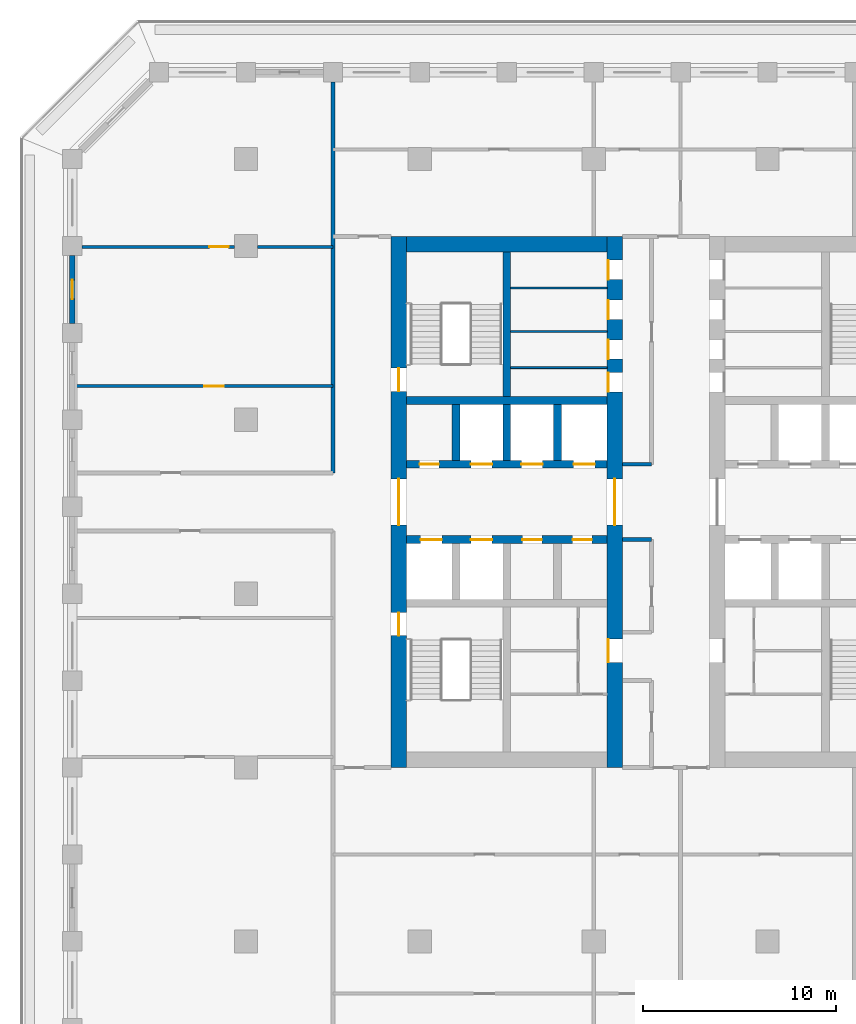
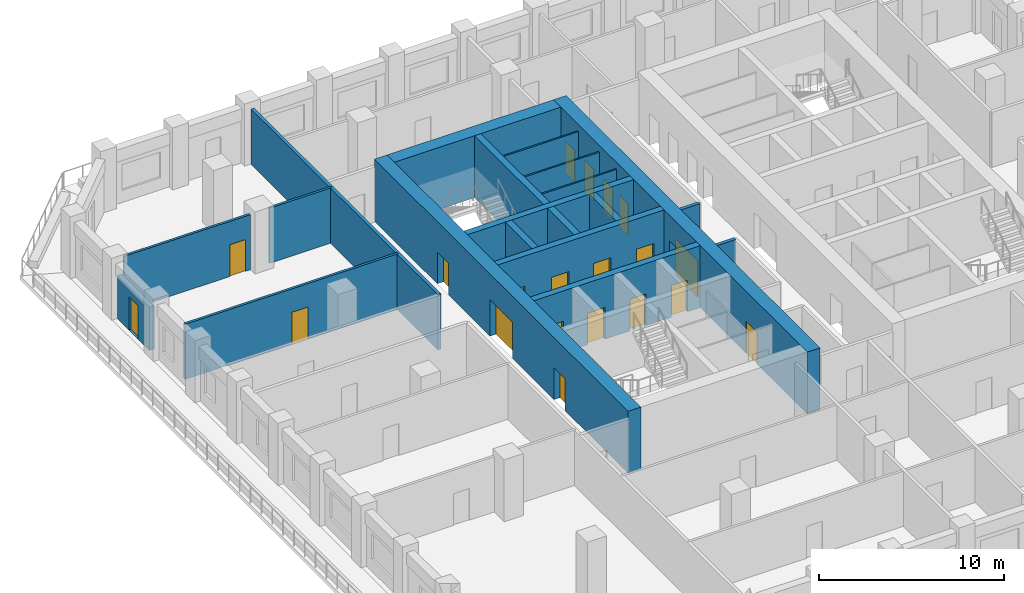
# One storey, part 5 of 16: 20 doors, 20 walls, 20 openings.
"""IFC4 building model written with IfcOpenShell, lengths in metres."""

from ifc_helpers import new_model, si_unit, direction, frame, frame_2d, origin, place, context, subcontext, project, spatial, rectangle, extrude, material, layer, layer_set, type_object, element, fill, save


model = new_model("IFC4")

# Units and contexts
model_context = context("Model", 3, precision=1e-05, world=origin(), true_north=direction((0.0, 1.0)))
body_context = subcontext(model_context, "Body", "Model", "MODEL_VIEW")
ifc_project = project(units=[si_unit("LENGTHUNIT", "METRE"), si_unit("AREAUNIT", "SQUARE_METRE"), si_unit("VOLUMEUNIT", "CUBIC_METRE"), si_unit("PLANEANGLEUNIT", "RADIAN"), si_unit("MASSUNIT", "GRAM", prefix="KILO")], contexts=[model_context])

# Site, building, storey
site_placement = place(None, origin())
site = spatial("IfcSite", under=ifc_project, at=site_placement, CompositionType="ELEMENT")
building_placement = place(site_placement, origin())
building = spatial("IfcBuilding", under=site, at=building_placement, Name="Corbel Stack Research Tower", CompositionType="ELEMENT")
storey_placement = place(building_placement, frame((0.0, 0.0, 160.89990234375)))
storey = spatial("IfcBuildingStorey", under=building, at=storey_placement, Name="L36", CompositionType="ELEMENT", Elevation=160.89990234375)

# Wall, openings, doors
ifc_material_1 = material(Name="Concrete C60/75", Category="concrete")
ifc_layer_1 = layer(ifc_material_1, 0.39990234375)
ifc_layer_set_1 = layer_set([ifc_layer_1], Name="Concrete C60/75")
wall_type_1 = type_object("IfcWallType", Name="CW-400-60", PredefinedType="SHEAR", material=ifc_layer_set_1)
wall_1_placement = place(storey_placement, frame((-9.699951171875, 2.800048828125, 0.0), z_axis=(0.0, 0.0, 1.0), x_axis=(1.0, 0.0, 0.0)))
wall_1 = element("IfcWall", 1, at=wall_1_placement, inside=storey, type_object=wall_type_1, Name="West core wall, lobby south L36", PredefinedType="SHEAR", context=body_context, shape_type="SweptSolid", body=[
    extrude(rectangle(XDim=10.39990234375, YDim=0.39990234375, at=frame_2d((5.199951171875, 0.0))), origin(), (0.0, 0.0, 1.0), 4.10009765625),
])
opening_1_placement = place(wall_1_placement, frame((0.737548828125, 0.0, 0.0)))
opening_1 = element("IfcOpeningElement", 2, at=opening_1_placement, cuts=wall_1, Name="Opening LD-FS1", PredefinedType="OPENING", context=body_context, shape_type="SweptSolid", body=[
    extrude(rectangle(XDim=1.10009765625, YDim=2.10009765625, at=frame_2d((0.550048828125, 1.050048828125))), frame((0.0, 0.2099609375, 0.0), z_axis=(0.0, -1.0, 0.0), x_axis=(1.0, 0.0, 0.0)), (0.0, 0.0, 1.0), 0.419921875),
])
opening_2_placement = place(wall_1_placement, frame((3.33740234375, 0.0, 0.0)))
opening_2 = element("IfcOpeningElement", 3, at=opening_2_placement, cuts=wall_1, Name="Opening LD-GL1", PredefinedType="OPENING", context=body_context, shape_type="SweptSolid", body=[
    extrude(rectangle(XDim=1.10009765625, YDim=2.10009765625, at=frame_2d((0.550048828125, 1.050048828125))), frame((0.0, 0.2099609375, 0.0), z_axis=(0.0, -1.0, 0.0), x_axis=(1.0, 0.0, 0.0)), (0.0, 0.0, 1.0), 0.419921875),
])
opening_3_placement = place(wall_1_placement, frame((6.012451171875, 0.0, 0.0)))
opening_3 = element("IfcOpeningElement", 4, at=opening_3_placement, cuts=wall_1, Name="Opening CR-W66-S3", PredefinedType="OPENING", context=body_context, shape_type="SweptSolid", body=[
    extrude(rectangle(XDim=1.0, YDim=2.10009765625, at=frame_2d((0.5, 1.050048828125))), frame((0.0, 0.2099609375, 0.0), z_axis=(0.0, -1.0, 0.0), x_axis=(1.0, 0.0, 0.0)), (0.0, 0.0, 1.0), 0.419921875),
])
opening_4_placement = place(wall_1_placement, frame((8.612548828125, 0.0, 0.0)))
opening_4 = element("IfcOpeningElement", 5, at=opening_4_placement, cuts=wall_1, Name="Opening CR-W66-S4", PredefinedType="OPENING", context=body_context, shape_type="SweptSolid", body=[
    extrude(rectangle(XDim=1.0, YDim=2.10009765625, at=frame_2d((0.5, 1.050048828125))), frame((0.0, 0.2099609375, 0.0), z_axis=(0.0, -1.0, 0.0), x_axis=(1.0, 0.0, 0.0)), (0.0, 0.0, 1.0), 0.419921875),
])
ifc_material_2 = material(Name="Stainless steel landing door", Category="steel")
door_type_1 = type_object("IfcDoorType", Name="Lift landing door 1100 x 2100", OperationType="DOUBLE_DOOR_SLIDING", PredefinedType="DOOR", material=ifc_material_2)
door_1_placement = place(opening_1_placement, origin())
door_1 = element("IfcDoor", 6, at=door_1_placement, inside=storey, type_object=door_type_1, Name="Landing door FS1", OperationType="DOUBLE_DOOR_SLIDING", OverallHeight=2.10009765625, OverallWidth=1.10009765625, PredefinedType="DOOR", context=body_context, shape_type="SweptSolid", body=[
    extrude(rectangle(XDim=1.10009765625, YDim=2.10009765625, at=frame_2d((0.550048828125, 1.050048828125))), frame((0.0, 0.02490234375, 0.0), z_axis=(0.0, -1.0, 0.0), x_axis=(1.0, 0.0, 0.0)), (0.0, 0.0, 1.0), 0.050048828125),
])
fill(opening_1, door_1)
door_2_placement = place(opening_2_placement, origin())
door_2 = element("IfcDoor", 7, at=door_2_placement, inside=storey, type_object=door_type_1, Name="Landing door GL1", OperationType="DOUBLE_DOOR_SLIDING", OverallHeight=2.10009765625, OverallWidth=1.10009765625, PredefinedType="DOOR", context=body_context, shape_type="SweptSolid", body=[
    extrude(rectangle(XDim=1.10009765625, YDim=2.10009765625, at=frame_2d((0.550048828125, 1.050048828125))), frame((0.0, 0.02490234375, 0.0), z_axis=(0.0, -1.0, 0.0), x_axis=(1.0, 0.0, 0.0)), (0.0, 0.0, 1.0), 0.050048828125),
])
fill(opening_2, door_2)
ifc_material_3 = material(Name="Painted steel door", Category="steel")
door_type_2 = type_object("IfcDoorType", Name="Service door 1000 x 2100 FD60 left hand", OperationType="SINGLE_SWING_LEFT", PredefinedType="DOOR", material=ifc_material_3)
door_3_placement = place(opening_3_placement, origin())
door_3 = element("IfcDoor", 8, at=door_3_placement, inside=storey, type_object=door_type_2, Name="Copy and supply store door W core", OperationType="SINGLE_SWING_LEFT", OverallHeight=2.10009765625, OverallWidth=1.0, PredefinedType="DOOR", context=body_context, shape_type="SweptSolid", body=[
    extrude(rectangle(XDim=1.0, YDim=2.10009765625, at=frame_2d((0.5, 1.050048828125))), frame((0.0, 0.02490234375, 0.0), z_axis=(0.0, -1.0, 0.0), x_axis=(1.0, 0.0, 0.0)), (0.0, 0.0, 1.0), 0.050048828125),
])
fill(opening_3, door_3)
ifc_material_4 = material(Name="Painted steel door", Category="steel")
door_type_3 = type_object("IfcDoorType", Name="Service door 1000 x 2100 FD60 right hand", OperationType="SINGLE_SWING_RIGHT", PredefinedType="DOOR", material=ifc_material_4)
door_4_placement = place(opening_4_placement, origin())
door_4 = element("IfcDoor", 9, at=door_4_placement, inside=storey, type_object=door_type_3, Name="Records store door W core", OperationType="SINGLE_SWING_RIGHT", OverallHeight=2.10009765625, OverallWidth=1.0, PredefinedType="DOOR", context=body_context, shape_type="SweptSolid", body=[
    extrude(rectangle(XDim=1.0, YDim=2.10009765625, at=frame_2d((0.5, 1.050048828125))), frame((0.0, 0.02490234375, 0.0), z_axis=(0.0, -1.0, 0.0), x_axis=(1.0, 0.0, 0.0)), (0.0, 0.0, 1.0), 0.050048828125),
])
fill(opening_4, door_4)

wall_2_placement = place(storey_placement, frame((-9.699951171875, 6.699951171875, 0.0), z_axis=(0.0, 0.0, 1.0), x_axis=(1.0, 0.0, 0.0)))
wall_2 = element("IfcWall", 10, at=wall_2_placement, inside=storey, type_object=wall_type_1, Name="West core wall, lobby north L36", PredefinedType="SHEAR", context=body_context, shape_type="SweptSolid", body=[
    extrude(rectangle(XDim=10.39990234375, YDim=0.39990234375, at=frame_2d((5.199951171875, 0.0))), origin(), (0.0, 0.0, 1.0), 4.10009765625),
])
opening_5_placement = place(wall_2_placement, frame((3.33740234375, 0.0, 0.0)))
opening_5 = element("IfcOpeningElement", 11, at=opening_5_placement, cuts=wall_2, Name="Opening LD-HR1", PredefinedType="OPENING", context=body_context, shape_type="SweptSolid", body=[
    extrude(rectangle(XDim=1.10009765625, YDim=2.10009765625, at=frame_2d((0.550048828125, 1.050048828125))), frame((0.0, 0.2099609375, 0.0), z_axis=(0.0, -1.0, 0.0), x_axis=(1.0, 0.0, 0.0)), (0.0, 0.0, 1.0), 0.419921875),
])
opening_6_placement = place(wall_2_placement, frame((5.96240234375, 0.0, 0.0)))
opening_6 = element("IfcOpeningElement", 12, at=opening_6_placement, cuts=wall_2, Name="Opening LD-HR2", PredefinedType="OPENING", context=body_context, shape_type="SweptSolid", body=[
    extrude(rectangle(XDim=1.10009765625, YDim=2.10009765625, at=frame_2d((0.550048828125, 1.050048828125))), frame((0.0, 0.2099609375, 0.0), z_axis=(0.0, -1.0, 0.0), x_axis=(1.0, 0.0, 0.0)), (0.0, 0.0, 1.0), 0.419921875),
])
opening_7_placement = place(wall_2_placement, frame((8.66259765625, 0.0, 0.0)))
opening_7 = element("IfcOpeningElement", 13, at=opening_7_placement, cuts=wall_2, Name="Opening LD-HR3", PredefinedType="OPENING", context=body_context, shape_type="SweptSolid", body=[
    extrude(rectangle(XDim=1.10009765625, YDim=2.10009765625, at=frame_2d((0.550048828125, 1.050048828125))), frame((0.0, 0.2099609375, 0.0), z_axis=(0.0, -1.0, 0.0), x_axis=(1.0, 0.0, 0.0)), (0.0, 0.0, 1.0), 0.419921875),
])
opening_8_placement = place(wall_2_placement, frame((0.6875, 0.0, 0.0)))
opening_8 = element("IfcOpeningElement", 14, at=opening_8_placement, cuts=wall_2, Name="Opening CR-W66-N1", PredefinedType="OPENING", context=body_context, shape_type="SweptSolid", body=[
    extrude(rectangle(XDim=1.0, YDim=2.10009765625, at=frame_2d((0.5, 1.050048828125))), frame((0.0, 0.2099609375, 0.0), z_axis=(0.0, -1.0, 0.0), x_axis=(1.0, 0.0, 0.0)), (0.0, 0.0, 1.0), 0.419921875),
])
door_5_placement = place(opening_5_placement, origin())
door_5 = element("IfcDoor", 15, at=door_5_placement, inside=storey, type_object=door_type_1, Name="Landing door HR1", OperationType="DOUBLE_DOOR_SLIDING", OverallHeight=2.10009765625, OverallWidth=1.10009765625, PredefinedType="DOOR", context=body_context, shape_type="SweptSolid", body=[
    extrude(rectangle(XDim=1.10009765625, YDim=2.10009765625, at=frame_2d((0.550048828125, 1.050048828125))), frame((0.0, 0.02490234375, 0.0), z_axis=(0.0, -1.0, 0.0), x_axis=(1.0, 0.0, 0.0)), (0.0, 0.0, 1.0), 0.050048828125),
])
fill(opening_5, door_5)
door_6_placement = place(opening_6_placement, origin())
door_6 = element("IfcDoor", 16, at=door_6_placement, inside=storey, type_object=door_type_1, Name="Landing door HR2", OperationType="DOUBLE_DOOR_SLIDING", OverallHeight=2.10009765625, OverallWidth=1.10009765625, PredefinedType="DOOR", context=body_context, shape_type="SweptSolid", body=[
    extrude(rectangle(XDim=1.10009765625, YDim=2.10009765625, at=frame_2d((0.550048828125, 1.050048828125))), frame((0.0, 0.02490234375, 0.0), z_axis=(0.0, -1.0, 0.0), x_axis=(1.0, 0.0, 0.0)), (0.0, 0.0, 1.0), 0.050048828125),
])
fill(opening_6, door_6)
door_7_placement = place(opening_7_placement, origin())
door_7 = element("IfcDoor", 17, at=door_7_placement, inside=storey, type_object=door_type_1, Name="Landing door HR3", OperationType="DOUBLE_DOOR_SLIDING", OverallHeight=2.10009765625, OverallWidth=1.10009765625, PredefinedType="DOOR", context=body_context, shape_type="SweptSolid", body=[
    extrude(rectangle(XDim=1.10009765625, YDim=2.10009765625, at=frame_2d((0.550048828125, 1.050048828125))), frame((0.0, 0.02490234375, 0.0), z_axis=(0.0, -1.0, 0.0), x_axis=(1.0, 0.0, 0.0)), (0.0, 0.0, 1.0), 0.050048828125),
])
fill(opening_7, door_7)
door_8_placement = place(opening_8_placement, origin())
door_8 = element("IfcDoor", 18, at=door_8_placement, inside=storey, type_object=door_type_2, Name="Electrical room door W core", OperationType="SINGLE_SWING_LEFT", OverallHeight=2.10009765625, OverallWidth=1.0, PredefinedType="DOOR", context=body_context, shape_type="SweptSolid", body=[
    extrude(rectangle(XDim=1.0, YDim=2.10009765625, at=frame_2d((0.5, 1.050048828125))), frame((0.0, 0.02490234375, 0.0), z_axis=(0.0, -1.0, 0.0), x_axis=(1.0, 0.0, 0.0)), (0.0, 0.0, 1.0), 0.050048828125),
])
fill(opening_8, door_8)

# Walls
wall_3_placement = place(storey_placement, frame((-9.699951171875, 10.0, 0.0), z_axis=(0.0, 0.0, 1.0), x_axis=(1.0, 0.0, 0.0)))
element("IfcWall", 19, at=wall_3_placement, inside=storey, type_object=wall_type_1, Name="West core wall, north row back L36", PredefinedType="SHEAR", context=body_context, shape_type="SweptSolid", body=[
    extrude(rectangle(XDim=10.39990234375, YDim=0.39990234375, at=frame_2d((5.199951171875, 0.0))), origin(), (0.0, 0.0, 1.0), 4.10009765625),
])
for number, where, z_axis, x_axis, name in (
    (20, (-7.125, 6.89990234375, 0.0), (0.0, 0.0, 1.0), (0.0, 1.0, 0.0), "West core wall, north shaft 1 L36"),
    (21, (-4.5, 6.89990234375, 0.0), (0.0, 0.0, 1.0), (0.0, 1.0, 0.0), "West core wall, north shaft 2 L36"),
    (22, (-1.875, 6.89990234375, 0.0), (0.0, 0.0, 1.0), (0.0, 1.0, 0.0), "West core wall, north shaft 3 L36"),
):
    element("IfcWall", number, at=place(storey_placement, frame(where, z_axis=z_axis, x_axis=x_axis)), inside=storey, type_object=wall_type_1, Name=name, PredefinedType="SHEAR", context=body_context, shape_type="SweptSolid", body=[
        extrude(rectangle(XDim=2.900146484375, YDim=0.39990234375, at=frame_2d((1.4501953125, 0.0))), origin(), (0.0, 0.0, 1.0), 4.10009765625),
    ])
wall_4_placement = place(storey_placement, frame((-4.5, 10.199951171875, 0.0), z_axis=(0.0, 0.0, 1.0), x_axis=(0.0, 1.0, 0.0)))
element("IfcWall", 23, at=wall_4_placement, inside=storey, type_object=wall_type_1, Name="West core wall, north stair and riser L36", PredefinedType="SHEAR", context=body_context, shape_type="SweptSolid", body=[
    extrude(rectangle(XDim=7.5, YDim=0.39990234375, at=frame_2d((3.75, 0.0))), origin(), (0.0, 0.0, 1.0), 4.10009765625),
])

# Wall, openings, doors
ifc_material_5 = material(Name="Concrete C60/75", Category="concrete")
ifc_layer_2 = layer(ifc_material_5, 0.800048828125)
ifc_layer_set_2 = layer_set([ifc_layer_2], Name="Concrete C60/75")
wall_type_2 = type_object("IfcWallType", Name="CW-800-60", PredefinedType="SHEAR", material=ifc_layer_set_2)
wall_5_placement = place(storey_placement, frame((-10.10009765625, -9.0, 0.0), z_axis=(0.0, 0.0, 1.0), x_axis=(0.0, 1.0, 0.0)))
wall_5 = element("IfcWall", 24, at=wall_5_placement, inside=storey, type_object=wall_type_2, Name="West core wall, west face L36", PredefinedType="SHEAR", context=body_context, shape_type="SweptSolid", body=[
    extrude(rectangle(XDim=27.5, YDim=0.800048828125, at=frame_2d((13.75, 0.0))), origin(), (0.0, 0.0, 1.0), 4.10009765625),
])
opening_9_placement = place(wall_5_placement, frame((12.550048828125, 0.0, 0.0)))
opening_9 = element("IfcOpeningElement", 25, at=opening_9_placement, cuts=wall_5, Name="Opening CD-W-W", PredefinedType="OPENING", context=body_context, shape_type="SweptSolid", body=[
    extrude(rectangle(XDim=2.39990234375, YDim=2.39990234375, at=frame_2d((1.199951171875, 1.199951171875))), frame((0.0, 0.409912109375, 0.0), z_axis=(0.0, -1.0, 0.0), x_axis=(1.0, 0.0, 0.0)), (0.0, 0.0, 1.0), 0.820068359375),
])
opening_10_placement = place(wall_5_placement, frame((6.824951171875, 0.0, 0.0)))
opening_10 = element("IfcOpeningElement", 26, at=opening_10_placement, cuts=wall_5, Name="Opening SD-ST-W1", PredefinedType="OPENING", context=body_context, shape_type="SweptSolid", body=[
    extrude(rectangle(XDim=1.199951171875, YDim=2.10009765625, at=frame_2d((0.60009765625, 1.050048828125))), frame((0.0, 0.409912109375, 0.0), z_axis=(0.0, -1.0, 0.0), x_axis=(1.0, 0.0, 0.0)), (0.0, 0.0, 1.0), 0.820068359375),
])
opening_11_placement = place(wall_5_placement, frame((19.47509765625, 0.0, 0.0)))
opening_11 = element("IfcOpeningElement", 27, at=opening_11_placement, cuts=wall_5, Name="Opening SD-ST-W2", PredefinedType="OPENING", context=body_context, shape_type="SweptSolid", body=[
    extrude(rectangle(XDim=1.199951171875, YDim=2.10009765625, at=frame_2d((0.60009765625, 1.050048828125))), frame((0.0, 0.409912109375, 0.0), z_axis=(0.0, -1.0, 0.0), x_axis=(1.0, 0.0, 0.0)), (0.0, 0.0, 1.0), 0.820068359375),
])
ifc_material_6 = material(Name="Painted steel fire door", Category="steel")
door_type_4 = type_object("IfcDoorType", Name="Lobby door pair 2400 x 2400 FD30S", OperationType="DOUBLE_DOOR_DOUBLE_SWING", PredefinedType="DOOR", material=ifc_material_6)
door_9_placement = place(opening_9_placement, origin())
door_9 = element("IfcDoor", 28, at=door_9_placement, inside=storey, type_object=door_type_4, Name="Lift lobby door W core W", OperationType="DOUBLE_DOOR_DOUBLE_SWING", OverallHeight=2.39990234375, OverallWidth=2.39990234375, PredefinedType="DOOR", context=body_context, shape_type="SweptSolid", body=[
    extrude(rectangle(XDim=2.39990234375, YDim=2.39990234375, at=frame_2d((1.199951171875, 1.199951171875))), frame((0.0, 0.02490234375, 0.0), z_axis=(0.0, -1.0, 0.0), x_axis=(1.0, 0.0, 0.0)), (0.0, 0.0, 1.0), 0.050048828125),
])
fill(opening_9, door_9)
ifc_material_7 = material(Name="Painted steel fire door", Category="steel")
door_type_5 = type_object("IfcDoorType", Name="Stair door 1200 x 2100 FD90 left hand", OperationType="SINGLE_SWING_LEFT", PredefinedType="DOOR", material=ifc_material_7)
door_10_placement = place(opening_10_placement, origin())
door_10 = element("IfcDoor", 29, at=door_10_placement, inside=storey, type_object=door_type_5, Name="Stair door ST-W1", OperationType="SINGLE_SWING_LEFT", OverallHeight=2.10009765625, OverallWidth=1.199951171875, PredefinedType="DOOR", context=body_context, shape_type="SweptSolid", body=[
    extrude(rectangle(XDim=1.199951171875, YDim=2.10009765625, at=frame_2d((0.60009765625, 1.050048828125))), frame((0.0, 0.02490234375, 0.0), z_axis=(0.0, -1.0, 0.0), x_axis=(1.0, 0.0, 0.0)), (0.0, 0.0, 1.0), 0.050048828125),
])
fill(opening_10, door_10)
door_11_placement = place(opening_11_placement, origin())
door_11 = element("IfcDoor", 30, at=door_11_placement, inside=storey, type_object=door_type_5, Name="Stair door ST-W2", OperationType="SINGLE_SWING_LEFT", OverallHeight=2.10009765625, OverallWidth=1.199951171875, PredefinedType="DOOR", context=body_context, shape_type="SweptSolid", body=[
    extrude(rectangle(XDim=1.199951171875, YDim=2.10009765625, at=frame_2d((0.60009765625, 1.050048828125))), frame((0.0, 0.02490234375, 0.0), z_axis=(0.0, -1.0, 0.0), x_axis=(1.0, 0.0, 0.0)), (0.0, 0.0, 1.0), 0.050048828125),
])
fill(opening_11, door_11)

wall_6_placement = place(storey_placement, frame((1.10009765625, -9.0, 0.0), z_axis=(0.0, 0.0, 1.0), x_axis=(0.0, 1.0, 0.0)))
wall_6 = element("IfcWall", 31, at=wall_6_placement, inside=storey, type_object=wall_type_2, Name="West core wall, east face L36", PredefinedType="SHEAR", context=body_context, shape_type="SweptSolid", body=[
    extrude(rectangle(XDim=27.5, YDim=0.800048828125, at=frame_2d((13.75, 0.0))), origin(), (0.0, 0.0, 1.0), 4.10009765625),
])
opening_12_placement = place(wall_6_placement, frame((12.550048828125, 0.0, 0.0)))
opening_12 = element("IfcOpeningElement", 32, at=opening_12_placement, cuts=wall_6, Name="Opening CD-W-E", PredefinedType="OPENING", context=body_context, shape_type="SweptSolid", body=[
    extrude(rectangle(XDim=2.39990234375, YDim=2.39990234375, at=frame_2d((1.199951171875, 1.199951171875))), frame((0.0, 0.409912109375, 0.0), z_axis=(0.0, -1.0, 0.0), x_axis=(1.0, 0.0, 0.0)), (0.0, 0.0, 1.0), 0.820068359375),
])
opening_13_placement = place(wall_6_placement, frame((5.449951171875, 0.0, 0.0)))
opening_13 = element("IfcOpeningElement", 33, at=opening_13_placement, cuts=wall_6, Name="Opening CR-W66-W1-1200", PredefinedType="OPENING", context=body_context, shape_type="SweptSolid", body=[
    extrude(rectangle(XDim=1.199951171875, YDim=2.10009765625, at=frame_2d((0.60009765625, 1.050048828125))), frame((0.0, 0.409912109375, 0.0), z_axis=(0.0, -1.0, 0.0), x_axis=(1.0, 0.0, 0.0)), (0.0, 0.0, 1.0), 0.820068359375),
])
opening_14_placement = place(wall_6_placement, frame((19.449951171875, 0.0, 0.0)))
opening_14 = element("IfcOpeningElement", 34, at=opening_14_placement, cuts=wall_6, Name="Opening CR-W66-R1-1000", PredefinedType="OPENING", context=body_context, shape_type="SweptSolid", body=[
    extrude(rectangle(XDim=1.0, YDim=2.10009765625, at=frame_2d((0.5, 1.050048828125))), frame((0.0, 0.409912109375, 0.0), z_axis=(0.0, -1.0, 0.0), x_axis=(1.0, 0.0, 0.0)), (0.0, 0.0, 1.0), 0.820068359375),
])
opening_15_placement = place(wall_6_placement, frame((21.137451171875, 0.0, 0.0)))
opening_15 = element("IfcOpeningElement", 35, at=opening_15_placement, cuts=wall_6, Name="Opening CR-W66-R2-1000", PredefinedType="OPENING", context=body_context, shape_type="SweptSolid", body=[
    extrude(rectangle(XDim=1.0, YDim=2.10009765625, at=frame_2d((0.5, 1.050048828125))), frame((0.0, 0.409912109375, 0.0), z_axis=(0.0, -1.0, 0.0), x_axis=(1.0, 0.0, 0.0)), (0.0, 0.0, 1.0), 0.820068359375),
])
opening_16_placement = place(wall_6_placement, frame((23.199951171875, 0.0, 0.0)))
opening_16 = element("IfcOpeningElement", 36, at=opening_16_placement, cuts=wall_6, Name="Opening CR-W66-R3-1000", PredefinedType="OPENING", context=body_context, shape_type="SweptSolid", body=[
    extrude(rectangle(XDim=1.0, YDim=2.10009765625, at=frame_2d((0.5, 1.050048828125))), frame((0.0, 0.409912109375, 0.0), z_axis=(0.0, -1.0, 0.0), x_axis=(1.0, 0.0, 0.0)), (0.0, 0.0, 1.0), 0.820068359375),
])
opening_17_placement = place(wall_6_placement, frame((25.262451171875, 0.0, 0.0)))
opening_17 = element("IfcOpeningElement", 37, at=opening_17_placement, cuts=wall_6, Name="Opening CR-W66-R4-1000", PredefinedType="OPENING", context=body_context, shape_type="SweptSolid", body=[
    extrude(rectangle(XDim=1.0, YDim=2.10009765625, at=frame_2d((0.5, 1.050048828125))), frame((0.0, 0.409912109375, 0.0), z_axis=(0.0, -1.0, 0.0), x_axis=(1.0, 0.0, 0.0)), (0.0, 0.0, 1.0), 0.820068359375),
])
door_12_placement = place(opening_12_placement, origin())
door_12 = element("IfcDoor", 38, at=door_12_placement, inside=storey, type_object=door_type_4, Name="Lift lobby door W core E", OperationType="DOUBLE_DOOR_DOUBLE_SWING", OverallHeight=2.39990234375, OverallWidth=2.39990234375, PredefinedType="DOOR", context=body_context, shape_type="SweptSolid", body=[
    extrude(rectangle(XDim=2.39990234375, YDim=2.39990234375, at=frame_2d((1.199951171875, 1.199951171875))), frame((0.0, 0.02490234375, 0.0), z_axis=(0.0, -1.0, 0.0), x_axis=(1.0, 0.0, 0.0)), (0.0, 0.0, 1.0), 0.050048828125),
])
fill(opening_12, door_12)
ifc_material_8 = material(Name="Painted steel door", Category="steel")
door_type_6 = type_object("IfcDoorType", Name="Riser door 1000 x 2100 FD60 left hand", OperationType="SINGLE_SWING_LEFT", PredefinedType="DOOR", material=ifc_material_8)
door_13_placement = place(opening_14_placement, origin())
door_13 = element("IfcDoor", 39, at=door_13_placement, inside=storey, type_object=door_type_6, Name="Electrical riser door W core", OperationType="SINGLE_SWING_LEFT", OverallHeight=2.10009765625, OverallWidth=1.0, PredefinedType="DOOR", context=body_context, shape_type="SweptSolid", body=[
    extrude(rectangle(XDim=1.0, YDim=2.10009765625, at=frame_2d((0.5, 1.050048828125))), frame((0.0, 0.375, 0.0), z_axis=(0.0, -1.0, 0.0), x_axis=(1.0, 0.0, 0.0)), (0.0, 0.0, 1.0), 0.050048828125),
])
fill(opening_14, door_13)
ifc_material_9 = material(Name="Painted steel door", Category="steel")
door_type_7 = type_object("IfcDoorType", Name="Riser door 1000 x 2100 FD60 right hand", OperationType="SINGLE_SWING_RIGHT", PredefinedType="DOOR", material=ifc_material_9)
door_14_placement = place(opening_15_placement, origin())
door_14 = element("IfcDoor", 40, at=door_14_placement, inside=storey, type_object=door_type_7, Name="Telecom room door W core", OperationType="SINGLE_SWING_RIGHT", OverallHeight=2.10009765625, OverallWidth=1.0, PredefinedType="DOOR", context=body_context, shape_type="SweptSolid", body=[
    extrude(rectangle(XDim=1.0, YDim=2.10009765625, at=frame_2d((0.5, 1.050048828125))), frame((0.0, 0.375, 0.0), z_axis=(0.0, -1.0, 0.0), x_axis=(1.0, 0.0, 0.0)), (0.0, 0.0, 1.0), 0.050048828125),
])
fill(opening_15, door_14)
ifc_material_10 = material(Name="Painted steel door", Category="steel")
door_type_8 = type_object("IfcDoorType", Name="Service door 1000 x 2100 FD30 left hand", OperationType="SINGLE_SWING_LEFT", PredefinedType="DOOR", material=ifc_material_10)
door_15_placement = place(opening_16_placement, origin())
door_15 = element("IfcDoor", 41, at=door_15_placement, inside=storey, type_object=door_type_8, Name="Pantry door W core", OperationType="SINGLE_SWING_LEFT", OverallHeight=2.10009765625, OverallWidth=1.0, PredefinedType="DOOR", context=body_context, shape_type="SweptSolid", body=[
    extrude(rectangle(XDim=1.0, YDim=2.10009765625, at=frame_2d((0.5, 1.050048828125))), frame((0.0, 0.375, 0.0), z_axis=(0.0, -1.0, 0.0), x_axis=(1.0, 0.0, 0.0)), (0.0, 0.0, 1.0), 0.050048828125),
])
fill(opening_16, door_15)
ifc_material_11 = material(Name="Painted steel door", Category="steel")
door_type_9 = type_object("IfcDoorType", Name="Service door 1000 x 2100 FD30 right hand", OperationType="SINGLE_SWING_RIGHT", PredefinedType="DOOR", material=ifc_material_11)
door_16_placement = place(opening_17_placement, origin())
door_16 = element("IfcDoor", 42, at=door_16_placement, inside=storey, type_object=door_type_9, Name="Cleaner's store door W core", OperationType="SINGLE_SWING_RIGHT", OverallHeight=2.10009765625, OverallWidth=1.0, PredefinedType="DOOR", context=body_context, shape_type="SweptSolid", body=[
    extrude(rectangle(XDim=1.0, YDim=2.10009765625, at=frame_2d((0.5, 1.050048828125))), frame((0.0, 0.375, 0.0), z_axis=(0.0, -1.0, 0.0), x_axis=(1.0, 0.0, 0.0)), (0.0, 0.0, 1.0), 0.050048828125),
])
fill(opening_17, door_16)
ifc_material_12 = material(Name="Painted timber door", Category="wood")
door_type_10 = type_object("IfcDoorType", Name="WC door 1200 x 2100 left hand", OperationType="SINGLE_SWING_LEFT", PredefinedType="DOOR", material=ifc_material_12)
door_17_placement = place(opening_13_placement, origin())
door_17 = element("IfcDoor", 43, at=door_17_placement, inside=storey, type_object=door_type_10, Name="WC lobby door W core", OperationType="SINGLE_SWING_LEFT", OverallHeight=2.10009765625, OverallWidth=1.199951171875, PredefinedType="DOOR", context=body_context, shape_type="SweptSolid", body=[
    extrude(rectangle(XDim=1.199951171875, YDim=2.10009765625, at=frame_2d((0.60009765625, 1.050048828125))), frame((0.0, 0.375, 0.0), z_axis=(0.0, -1.0, 0.0), x_axis=(1.0, 0.0, 0.0)), (0.0, 0.0, 1.0), 0.050048828125),
])
fill(opening_13, door_17)

# Walls
wall_7_placement = place(storey_placement, frame((-9.699951171875, 18.10009765625, 0.0), z_axis=(0.0, 0.0, 1.0), x_axis=(1.0, 0.0, 0.0)))
element("IfcWall", 44, at=wall_7_placement, inside=storey, type_object=wall_type_2, Name="West core wall, north end L36", PredefinedType="SHEAR", context=body_context, shape_type="SweptSolid", body=[
    extrude(rectangle(XDim=10.39990234375, YDim=0.800048828125, at=frame_2d((5.199951171875, 0.0))), origin(), (0.0, 0.0, 1.0), 4.10009765625),
])
ifc_material_13 = material(Name="Gypsum board")
ifc_layer_3 = layer(ifc_material_13, 0.10009765625)
ifc_layer_set_3 = layer_set([ifc_layer_3], Name="Gypsum board")
wall_type_3 = type_object("IfcWallType", Name="Core partition 100", PredefinedType="PARTITIONING", material=ifc_layer_set_3)
for number, where, z_axis, x_axis, name in (
    (45, (-4.300048828125, 11.699951171875, 0.0), (0.0, 0.0, 1.0), (1.0, 0.0, 0.0), "Core partition W"),
    (46, (-4.300048828125, 13.574951171875, 0.0), (0.0, 0.0, 1.0), (1.0, 0.0, 0.0), "Core partition W"),
    (47, (-4.300048828125, 15.824951171875, 0.0), (0.0, 0.0, 1.0), (1.0, 0.0, 0.0), "Core partition W"),
):
    element("IfcWall", number, at=place(storey_placement, frame(where, z_axis=z_axis, x_axis=x_axis)), inside=storey, type_object=wall_type_3, Name=name, PredefinedType="PARTITIONING", context=body_context, shape_type="SweptSolid", body=[
        extrude(rectangle(XDim=5.0, YDim=0.10009765625, at=frame_2d((2.5, 0.0))), origin(), (0.0, 0.0, 1.0), 3.650146484375),
    ])
ifc_material_14 = material(Name="Fire-rated gypsum board partition on steel studs", Category="steel")
ifc_layer_4 = layer(ifc_material_14, 0.199951171875)
ifc_layer_set_4 = layer_set([ifc_layer_4], Name="Fire-rated gypsum board partition on steel studs")
wall_type_4 = type_object("IfcWallType", Name="Fire-rated partition 200 EI 60", PredefinedType="PARTITIONING", material=ifc_layer_set_4)
wall_8_placement = place(storey_placement, frame((-13.5, 6.25, 0.0), z_axis=(0.0, 0.0, 1.0), x_axis=(0.0, 1.0, 0.0)))
element("IfcWall", 48, at=wall_8_placement, inside=storey, type_object=wall_type_4, Name="Partition L36-002", PredefinedType="PARTITIONING", context=body_context, shape_type="SweptSolid", body=[
    extrude(rectangle(XDim=20.25, YDim=0.199951171875, at=frame_2d((10.125, 0.0))), origin(), (0.0, 0.0, 1.0), 3.650146484375),
])
for number, where, z_axis, x_axis, name in (
    (49, (1.5, 2.800048828125, 0.0), (0.0, 0.0, 1.0), (1.0, 0.0, 0.0), "Partition L36-029"),
    (50, (1.5, 6.699951171875, 0.0), (0.0, 0.0, 1.0), (1.0, 0.0, 0.0), "Partition L36-034"),
):
    element("IfcWall", number, at=place(storey_placement, frame(where, z_axis=z_axis, x_axis=x_axis)), inside=storey, type_object=wall_type_4, Name=name, PredefinedType="PARTITIONING", context=body_context, shape_type="SweptSolid", body=[
        extrude(rectangle(XDim=1.5, YDim=0.199951171875, at=frame_2d((0.75, 0.0))), origin(), (0.0, 0.0, 1.0), 3.650146484375),
    ])

# Wall, opening, door
ifc_material_15 = material(Name="Gypsum board partition on steel studs", Category="steel")
ifc_layer_5 = layer(ifc_material_15, 0.14990234375)
ifc_layer_set_5 = layer_set([ifc_layer_5], Name="Gypsum board partition on steel studs")
wall_type_5 = type_object("IfcWallType", Name="Partition 150", PredefinedType="PARTITIONING", material=ifc_layer_set_5)
wall_9_placement = place(storey_placement, frame((-26.85009765625, 10.75, 0.0), z_axis=(0.0, 0.0, 1.0), x_axis=(1.0, 0.0, 0.0)))
wall_9 = element("IfcWall", 51, at=wall_9_placement, inside=storey, type_object=wall_type_5, Name="Partition L36-035", PredefinedType="PARTITIONING", context=body_context, shape_type="SweptSolid", body=[
    extrude(rectangle(XDim=13.35009765625, YDim=0.14990234375, at=frame_2d((6.675048828125, 0.0))), origin(), (0.0, 0.0, 1.0), 3.650146484375),
])
opening_18_placement = place(wall_9_placement, frame((6.699951171875, 0.0, 0.0)))
opening_18 = element("IfcOpeningElement", 52, at=opening_18_placement, cuts=wall_9, Name="Opening B5V0-023", PredefinedType="OPENING", context=body_context, shape_type="SweptSolid", body=[
    extrude(rectangle(XDim=1.0, YDim=2.10009765625, at=frame_2d((0.5, 1.050048828125))), frame((0.0, 0.0849609375, 0.0), z_axis=(0.0, -1.0, 0.0), x_axis=(1.0, 0.0, 0.0)), (0.0, 0.0, 1.0), 0.169921875),
])
ifc_material_16 = material(Name="Painted timber door", Category="wood")
door_type_11 = type_object("IfcDoorType", Name="Single door 1000 x 2100", OperationType="NOTDEFINED", PredefinedType="DOOR", material=ifc_material_16)
door_18_placement = place(opening_18_placement, origin())
door_18 = element("IfcDoor", 53, at=door_18_placement, inside=storey, type_object=door_type_11, Name="Door B5V0-023", OperationType="SINGLE_SWING_RIGHT", OverallHeight=2.10009765625, OverallWidth=1.0, PredefinedType="DOOR", context=body_context, shape_type="SweptSolid", body=[
    extrude(rectangle(XDim=1.0, YDim=2.10009765625, at=frame_2d((0.5, 1.050048828125))), frame((0.0, 0.02490234375, 0.0), z_axis=(0.0, -1.0, 0.0), x_axis=(1.0, 0.0, 0.0)), (0.0, 0.0, 1.0), 0.050048828125),
])
fill(opening_18, door_18)

wall_10_placement = place(storey_placement, frame((-26.5, 17.949951171875, 0.0), z_axis=(0.0, 0.0, 1.0), x_axis=(1.0, 0.0, 0.0)))
wall_10 = element("IfcWall", 54, at=wall_10_placement, inside=storey, type_object=wall_type_5, Name="Partition L36-037", PredefinedType="PARTITIONING", context=body_context, shape_type="SweptSolid", body=[
    extrude(rectangle(XDim=7.89990234375, YDim=0.14990234375, at=frame_2d((3.949951171875, 0.0))), origin(), (0.0, 0.0, 1.0), 3.650146484375),
])
opening_19_placement = place(wall_10_placement, frame((6.60009765625, 0.0, 0.0)))
opening_19 = element("IfcOpeningElement", 55, at=opening_19_placement, cuts=wall_10, Name="Opening B5V0-025", PredefinedType="OPENING", context=body_context, shape_type="SweptSolid", body=[
    extrude(rectangle(XDim=1.0, YDim=2.10009765625, at=frame_2d((0.5, 1.050048828125))), frame((0.0, 0.0849609375, 0.0), z_axis=(0.0, -1.0, 0.0), x_axis=(1.0, 0.0, 0.0)), (0.0, 0.0, 1.0), 0.169921875),
])
door_19_placement = place(opening_19_placement, origin())
door_19 = element("IfcDoor", 56, at=door_19_placement, inside=storey, type_object=door_type_11, Name="Door B5V0-025", OperationType="SINGLE_SWING_RIGHT", OverallHeight=2.10009765625, OverallWidth=1.0, PredefinedType="DOOR", context=body_context, shape_type="SweptSolid", body=[
    extrude(rectangle(XDim=1.0, YDim=2.10009765625, at=frame_2d((0.5, 1.050048828125))), frame((0.0, 0.02490234375, 0.0), z_axis=(0.0, -1.0, 0.0), x_axis=(1.0, 0.0, 0.0)), (0.0, 0.0, 1.0), 0.050048828125),
])
fill(opening_19, door_19)

# Wall
wall_11_placement = place(storey_placement, frame((-17.39990234375, 17.949951171875, 0.0), z_axis=(0.0, 0.0, 1.0), x_axis=(1.0, 0.0, 0.0)))
element("IfcWall", 57, at=wall_11_placement, inside=storey, type_object=wall_type_5, Name="Partition L36-038", PredefinedType="PARTITIONING", context=body_context, shape_type="SweptSolid", body=[
    extrude(rectangle(XDim=3.89990234375, YDim=0.14990234375, at=frame_2d((1.949951171875, 0.0))), origin(), (0.0, 0.0, 1.0), 3.650146484375),
])

# Wall, opening, door
ifc_material_17 = material(Name="Concrete C45/55", Category="concrete")
ifc_layer_6 = layer(ifc_material_17, 0.300048828125)
ifc_layer_set_6 = layer_set([ifc_layer_6], Name="Concrete C45/55")
wall_type_6 = type_object("IfcWallType", Name="Terracotta-faced concrete wall 300", PredefinedType="SOLIDWALL", material=ifc_layer_set_6)
wall_12_placement = place(storey_placement, frame((-27.0, 14.0, 0.0), z_axis=(0.0, 0.0, 1.0), x_axis=(0.0, 1.0, 0.0)))
wall_12 = element("IfcWall", 58, at=wall_12_placement, inside=storey, type_object=wall_type_6, Name="Facade wall L36 W02", PredefinedType="SOLIDWALL", context=body_context, shape_type="SweptSolid", body=[
    extrude(rectangle(XDim=3.5, YDim=0.300048828125, at=frame_2d((1.75, 0.0))), origin(), (0.0, 0.0, 1.0), 2.85009765625),
])
opening_20_placement = place(wall_12_placement, frame((1.25, 0.0, 0.0)))
opening_20 = element("IfcOpeningElement", 59, at=opening_20_placement, cuts=wall_12, Name="Opening L36-B10", PredefinedType="OPENING", context=body_context, shape_type="SweptSolid", body=[
    extrude(rectangle(XDim=1.0, YDim=2.199951171875, at=frame_2d((0.5, 1.10009765625))), frame((0.0, 0.159912109375, 0.0), z_axis=(0.0, -1.0, 0.0), x_axis=(1.0, 0.0, 0.0)), (0.0, 0.0, 1.0), 0.320068359375),
])
ifc_material_18 = material(Name="Aluminium frame, clear double glazing", Category="aluminium")
door_type_12 = type_object("IfcDoorType", Name="Balcony door BD1 1000 x 2200", OperationType="NOTDEFINED", PredefinedType="DOOR", material=ifc_material_18)
door_20_placement = place(opening_20_placement, origin())
door_20 = element("IfcDoor", 60, at=door_20_placement, inside=storey, type_object=door_type_12, Name="Balcony door L36-B10", OperationType="SINGLE_SWING_RIGHT", OverallHeight=2.199951171875, OverallWidth=1.0, PredefinedType="DOOR", context=body_context, shape_type="SweptSolid", body=[
    extrude(rectangle(XDim=1.0, YDim=2.199951171875, at=frame_2d((0.5, 1.10009765625))), frame((0.0, 0.02490234375, 0.0), z_axis=(0.0, -1.0, 0.0), x_axis=(1.0, 0.0, 0.0)), (0.0, 0.0, 1.0), 0.050048828125),
])
fill(opening_20, door_20)

save(model, "model.ifc")
